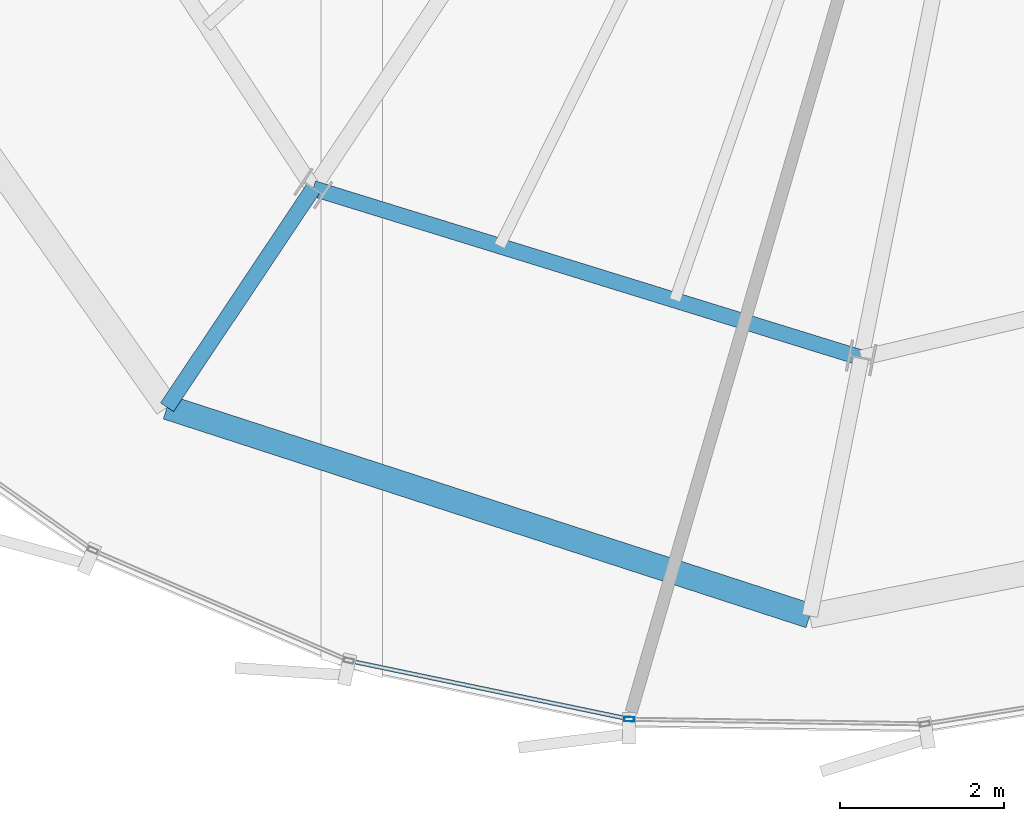
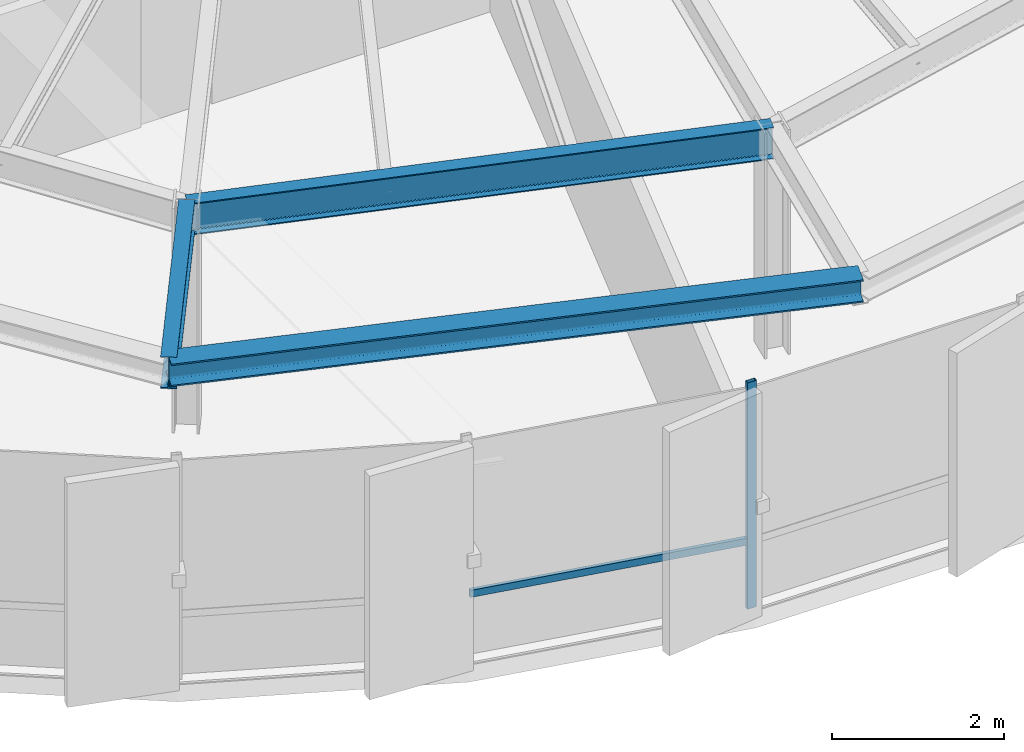
# One storey, part 3 of 34: 3 beams, 2 members, 1 element without a shape of its own.
"""IFC4 building model written with IfcOpenShell, lengths in metres."""

from ifc_helpers import new_model, si_unit, direction, frame, origin, origin_2d, place, context, subcontext, project, spatial, hollow_rectangle, i_section, extrude, source, transform, mapped, material, layer, layer_set, material_profile, profile_set, type_object, element, aggregate, save


model = new_model("IFC4")

# Units and contexts
model_context = context("Model", 3, precision=1e-05, world=origin(), true_north=direction((0.0, 1.0)))
body_context = subcontext(model_context, "Body", "Model", "MODEL_VIEW")
ifc_project = project(units=[si_unit("LENGTHUNIT", "METRE"), si_unit("AREAUNIT", "SQUARE_METRE"), si_unit("VOLUMEUNIT", "CUBIC_METRE"), si_unit("PLANEANGLEUNIT", "RADIAN"), si_unit("MASSUNIT", "GRAM", prefix="KILO"), si_unit("THERMODYNAMICTEMPERATUREUNIT", "KELVIN")], contexts=[model_context])

# Site, building, storey
site_placement = place(None, origin())
site = spatial("IfcSite", under=ifc_project, at=site_placement, CompositionType="ELEMENT")
building_placement = place(site_placement, origin())
building = spatial("IfcBuilding", under=site, at=building_placement, Name="Kethvar Cultural Tower", CompositionType="ELEMENT")
storey_placement = place(building_placement, frame((0.0, 0.0, 231.85009765625)))
storey = spatial("IfcBuildingStorey", under=building, at=storey_placement, Name="L60", CompositionType="ELEMENT", Elevation=231.85009765625)

# Beams
ifc_material_1 = material(Name="Steel S355J2", Category="steel")
ifc_material_profile_1 = material_profile(ifc_material_1, i_section(OverallWidth=0.18994140625, OverallDepth=0.449951171875, WebThickness=0.009521484375, FlangeThickness=0.0146484375, FilletRadius=0.02099609375, at=origin_2d()), Name="Steel S355J2 — IPE450")
ifc_profile_set_1 = profile_set([ifc_material_profile_1], Name="Steel S355J2 — IPE450")
beam_type_1 = type_object("IfcBeamType", Name="BM-IPE450", PredefinedType="BEAM", material=ifc_profile_set_1)
shared_shape_1 = source(origin(), body_context, "Body", "SweptSolid", [
    extrude(i_section(OverallWidth=0.18994140625, OverallDepth=0.449951171875, WebThickness=0.009521484375, FlangeThickness=0.0146484375, FilletRadius=0.02099609375, at=origin_2d()), origin(), (0.0, 0.0, 1.0), 3.199951171875),
])
beam_1_placement = place(storey_placement, frame((36.731201171875, 12.73095703125, 2.98291015625), z_axis=(-0.555580212716, -0.831462943996, 0.0), x_axis=(0.831462943996, -0.555580212716, 0.0)))
element("IfcBeam", 1, at=beam_1_placement, inside=storey, type_object=beam_type_1, Name="L60 Perimeter Cantilever Beam RC-11", PredefinedType="BEAM", context=body_context, shape_type="MappedRepresentation", body=[
    mapped(shared_shape_1, transform((0.0, 0.0, 0.0), scale=1.0)),
])
shared_shape_2 = source(origin(), body_context, "Body", "SweptSolid", [
    extrude(i_section(OverallWidth=0.18994140625, OverallDepth=0.449951171875, WebThickness=0.009521484375, FlangeThickness=0.0146484375, FilletRadius=0.02099609375, at=origin_2d()), origin(), (0.0, 0.0, 1.0), 6.97265625),
])
beam_2_placement = place(storey_placement, frame((36.731201171875, 12.73095703125, 2.98291015625), z_axis=(0.955381444404, -0.295374839295, 0.0), x_axis=(0.295374839295, 0.955381444404, 0.0)))
element("IfcBeam", 2, at=beam_2_placement, inside=storey, type_object=beam_type_1, Name="L60 Column Ring Tie Beam CR-11", PredefinedType="BEAM", context=body_context, shape_type="MappedRepresentation", body=[
    mapped(shared_shape_2, transform((0.0, 0.0, 0.0), scale=1.0)),
])
ifc_material_profile_2 = material_profile(ifc_material_1, i_section(OverallWidth=0.300048828125, OverallDepth=0.320068359375, WebThickness=0.011474609375, FlangeThickness=0.0205078125, FilletRadius=0.027099609375, at=origin_2d()), Name="Steel S355J2 — HEB320")
ifc_profile_set_2 = profile_set([ifc_material_profile_2], Name="Steel S355J2 — HEB320")
beam_type_2 = type_object("IfcBeamType", Name="BM-SP320", PredefinedType="SPANDREL", material=ifc_profile_set_2)
shared_shape_3 = source(origin(), body_context, "Body", "SweptSolid", [
    extrude(i_section(OverallWidth=0.300048828125, OverallDepth=0.320068359375, WebThickness=0.011474609375, FlangeThickness=0.0205078125, FilletRadius=0.027099609375, at=origin_2d()), origin(), (0.0, 0.0, 1.0), 8.216796875),
])
beam_3_placement = place(storey_placement, frame((34.953369140625, 10.0703125, 3.0478515625), z_axis=(0.951117661456, -0.30882874553, 0.0), x_axis=(0.30882874553, 0.951117661456, 0.0)))
element("IfcBeam", 3, at=beam_3_placement, inside=storey, type_object=beam_type_2, Name="L60 Perimeter Spandrel Beam SP-11", PredefinedType="SPANDREL", context=body_context, shape_type="MappedRepresentation", body=[
    mapped(shared_shape_3, transform((0.0, 0.0, 0.0), scale=1.0)),
])

# Curtain wall, members
ifc_material_2 = material(Name="Aluminium 6063-T6", Category="aluminium")
ifc_layer = layer(ifc_material_2, 0.179931640625, Name="Aluminium 6063-T6", Category="aluminium")
ifc_layer_set = layer_set([ifc_layer], Name="Aluminium 6063-T6 (180 mm)")
curtain_wall_type = type_object("IfcCurtainWallType", Name="CW-SYS-05-Z56", PredefinedType="NOTDEFINED", material=ifc_layer_set)
curtain_wall_placement = place(storey_placement, origin())
curtain_wall = element("IfcCurtainWall", 4, at=curtain_wall_placement, inside=storey, type_object=curtain_wall_type, Name="L60 Curtain Wall Run 04", PredefinedType="NOTDEFINED")
ifc_material_profile_3 = material_profile(ifc_material_2, hollow_rectangle(XDim=0.054931640625, YDim=0.1201171875, WallThickness=0.00390625, at=origin_2d()), Name="Aluminium 6063-T6 — RHS120x55x4")
ifc_profile_set_3 = profile_set([ifc_material_profile_3], Name="Aluminium 6063-T6 — RHS120x55x4")
member_type_1 = type_object("IfcMemberType", Name="CW-SYS-05-Z56-MUL", PredefinedType="MULLION", material=ifc_profile_set_3)
shared_shape_4 = source(origin(), body_context, "Body", "SweptSolid", [
    extrude(hollow_rectangle(XDim=0.054931640625, YDim=0.1201171875, WallThickness=0.00390625, at=origin_2d()), origin(), (0.0, 0.0, 1.0), 3.2099609375),
])
member_1_placement = place(storey_placement, frame((40.57177734375, 6.276611328125, 0.0), z_axis=(0.0, 0.0, 1.0), x_axis=(0.01568986617, 0.999876906474, 0.0)))
member_1 = element("IfcMember", 5, at=member_1_placement, type_object=member_type_1, Name="CW-L60-R04 Mullion 4", PredefinedType="MULLION", context=body_context, shape_type="MappedRepresentation", body=[
    mapped(shared_shape_4, transform((0.0, 0.0, 0.0), scale=1.0)),
])
ifc_material_profile_4 = material_profile(ifc_material_2, hollow_rectangle(XDim=0.050048828125, YDim=0.10009765625, WallThickness=0.00390625, at=origin_2d()), Name="Aluminium 6063-T6 — RHS100x50x4")
ifc_profile_set_4 = profile_set([ifc_material_profile_4], Name="Aluminium 6063-T6 — RHS100x50x4")
member_type_2 = type_object("IfcMemberType", Name="CW-SYS-05-Z56-TRN", PredefinedType="USERDEFINED", material=ifc_profile_set_4)
shared_shape_5 = source(origin(), body_context, "Body", "SweptSolid", [
    extrude(hollow_rectangle(XDim=0.050048828125, YDim=0.10009765625, WallThickness=0.00390625, at=origin_2d()), origin(), (0.0, 0.0, 1.0), 3.419921875),
])
member_2_placement = place(storey_placement, frame((37.20361328125, 6.97998046875, 0.949951171875), z_axis=(0.978995858293, -0.203880134992, 0.0), x_axis=(0.203880134992, 0.978995858293, 0.0)))
member_2 = element("IfcMember", 6, at=member_2_placement, type_object=member_type_2, Name="CW-L60-R04 Transom 3", ObjectType="TRANSOM", PredefinedType="USERDEFINED", context=body_context, shape_type="MappedRepresentation", body=[
    mapped(shared_shape_5, transform((0.0, 0.0, 0.0), scale=1.0)),
])
aggregate(curtain_wall, [member_1, member_2])

save(model, "model.ifc")
